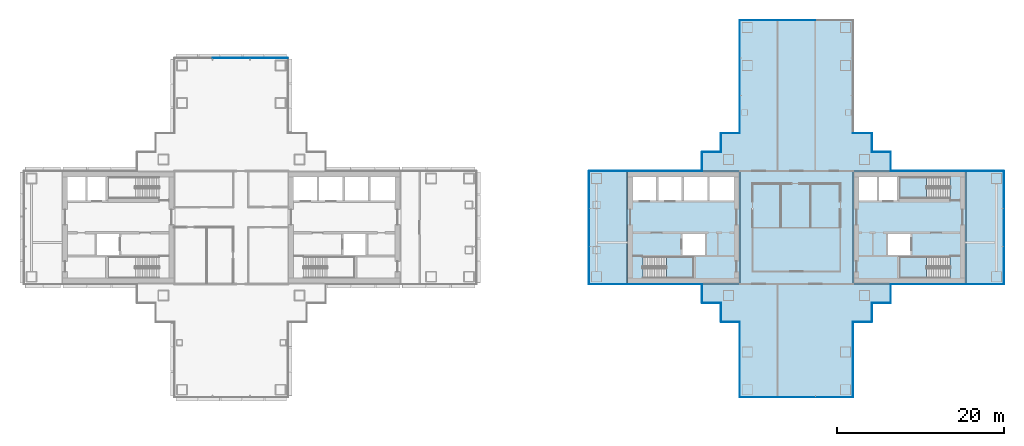
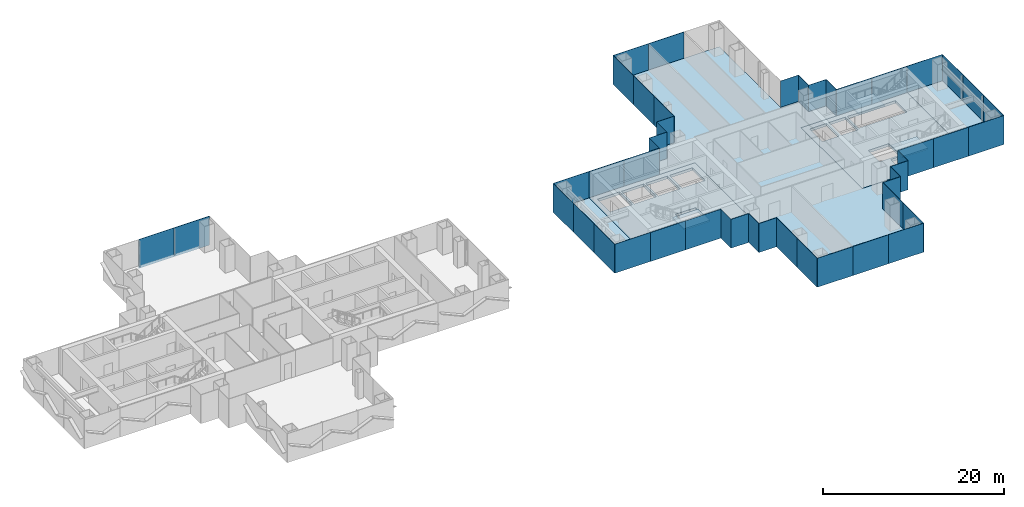
# One storey, part 10 of 18: 48 plates, 8 slabs, 23 elements without a shape of their own.
"""IFC4 building model written with IfcOpenShell, lengths in metres."""

import ifcopenshell
import ifcopenshell.guid

model = None  # the IFC model being written
_history = None  # IfcOwnerHistory: only IFC2X3 demands one
_inside = {}  # id of a spatial element -> (the spatial element, [elements in it])
_under = {}  # id of a project, library or spatial element -> (it, [spatial elements below it])
_declared = {}  # id of a project -> (the project, [libraries it declares])
_typed = {}  # id of a type object -> (the type object, [elements of that type])
_made_of = {}  # id of a material, layer set ... -> (it, [elements and type objects made of it])


def new_model(schema):
    """Start an empty IFC model of exactly this schema.

    Asked for "IFC4X3", IfcOpenShell would pick the latest addendum, in which some entities
    have other attributes; the version numbers below select the first issue.
    IFC2X3 requires an IfcOwnerHistory on every rooted entity: one is made here for all.
    """
    global model, _history
    if schema == "IFC4X3":
        model = ifcopenshell.file(schema_version=(4, 3, 0, 0))
    else:
        model = ifcopenshell.file(schema=schema)
    _inside.clear()
    _under.clear()
    _declared.clear()
    _typed.clear()
    _made_of.clear()
    _history = None
    if model.schema == "IFC2X3":
        org = make("IfcOrganization", Name="unknown")
        user = make(
            "IfcPersonAndOrganization",
            ThePerson=make("IfcPerson", FamilyName="unknown"),
            TheOrganization=org,
        )
        app = make(
            "IfcApplication",
            ApplicationDeveloper=org,
            Version="unknown",
            ApplicationFullName="unknown",
            ApplicationIdentifier="unknown",
        )
        _history = make(
            "IfcOwnerHistory",
            OwningUser=user,
            OwningApplication=app,
            ChangeAction="ADDED",
            CreationDate=0,
        )
    return model


def make(cls, **values):
    """One entity of the class cls with the attributes given. An attribute that is None is left unset."""
    return model.create_entity(
        cls, **{name: value for name, value in values.items() if value is not None}
    )


def rooted(cls, **values):
    """An entity with a GlobalId (a new one), such as an element, a storey or a relation."""
    return make(cls, GlobalId=ifcopenshell.guid.new(), OwnerHistory=_history, **values)


def si_unit(unit_type, name, prefix=None):
    """IfcSIUnit, for example si_unit("LENGTHUNIT", "METRE", prefix="MILLI")."""
    return make("IfcSIUnit", UnitType=unit_type, Prefix=prefix, Name=name)


def assignment(units):
    """IfcUnitAssignment: the units of a project."""
    return None if units is None else make("IfcUnitAssignment", Units=units)


def point(xyz):
    """IfcCartesianPoint."""
    return None if xyz is None else make("IfcCartesianPoint", Coordinates=xyz)


def direction(xyz):
    """IfcDirection."""
    return None if xyz is None else make("IfcDirection", DirectionRatios=xyz)


def frame(location, z_axis=None, x_axis=None):
    """IfcAxis2Placement3D, a coordinate frame: its origin and axes. An axis left out is left unset."""
    return make(
        "IfcAxis2Placement3D",
        Location=point(location),
        Axis=direction(z_axis),
        RefDirection=direction(x_axis),
    )


def frame_2d(location, x_axis=None):
    """IfcAxis2Placement2D, a coordinate frame in the plane: its origin and x axis."""
    return make(
        "IfcAxis2Placement2D", Location=point(location), RefDirection=direction(x_axis)
    )


def origin():
    """The frame at (0, 0, 0) with its axes left unset."""
    return frame((0.0, 0.0, 0.0))


def origin_2d():
    """The frame at (0, 0) in the plane with its x axis left unset."""
    return frame_2d((0.0, 0.0))


def place(relative_to, where):
    """IfcLocalPlacement: puts the frame where relative to a parent placement (None: the world)."""
    return make(
        "IfcLocalPlacement", PlacementRelTo=relative_to, RelativePlacement=where
    )


def context(
    kind, dimensions, precision=None, world=None, true_north=None, identifier=None
):
    """IfcGeometricRepresentationContext, for example the 3D "Model" context."""
    return make(
        "IfcGeometricRepresentationContext",
        ContextIdentifier=identifier,
        ContextType=kind,
        CoordinateSpaceDimension=dimensions,
        Precision=precision,
        WorldCoordinateSystem=world,
        TrueNorth=true_north,
    )


def subcontext(parent, identifier, kind, view, scale=None):
    """IfcGeometricRepresentationSubContext, for example "Body" below "Model"."""
    return make(
        "IfcGeometricRepresentationSubContext",
        ContextIdentifier=identifier,
        ContextType=kind,
        ParentContext=parent,
        TargetScale=scale,
        TargetView=view,
    )


def project(units=None, contexts=None):
    """IfcProject with its units and contexts."""
    return rooted(
        "IfcProject",
        Name="project",
        RepresentationContexts=contexts,
        UnitsInContext=assignment(units),
    )


def spatial(cls, under=None, at=None, **own):
    """A site, building, storey or space (cls), placed at a placement, below another one or the project."""
    s = rooted(cls, ObjectPlacement=at, **own)
    if under is not None:
        _under.setdefault(under.id(), (under, []))[1].append(s)
    return s


def polyline(points):
    """IfcPolyline through the points."""
    return make("IfcPolyline", Points=[point(p) for p in points])


def profile(cls, at=None, kind="AREA", **sizes):
    """A parametric profile (cls). Its sizes go by their IFC names, for example OverallWidth=200.0."""
    return make(cls, ProfileType=kind, Position=at, **sizes)


def rectangle(**sizes):
    """IfcRectangleProfileDef."""
    return profile("IfcRectangleProfileDef", **sizes)


def outline(outer, holes=None, kind="AREA"):
    """IfcArbitraryClosedProfileDef: a profile drawn as a closed curve; with holes, ...WithVoids."""
    if holes is None:
        return make("IfcArbitraryClosedProfileDef", ProfileType=kind, OuterCurve=outer)
    return make(
        "IfcArbitraryProfileDefWithVoids",
        ProfileType=kind,
        OuterCurve=outer,
        InnerCurves=holes,
    )


def extrude(swept, where, along, depth):
    """IfcExtrudedAreaSolid: the profile swept, set in the frame where, extruded along a direction by depth."""
    return make(
        "IfcExtrudedAreaSolid",
        SweptArea=swept,
        Position=where,
        ExtrudedDirection=direction(along),
        Depth=depth,
    )


def shape(context_of_items, identifier, shape_type, items):
    """IfcShapeRepresentation: the items that make up one representation, for example the "Body"."""
    return make(
        "IfcShapeRepresentation",
        ContextOfItems=context_of_items,
        RepresentationIdentifier=identifier,
        RepresentationType=shape_type,
        Items=items,
    )


def material(Name=None, Category=None):
    """IfcMaterial."""
    return make("IfcMaterial", Name=Name, Category=Category)


def layer(
    of_material, thickness, ventilated=None, Name=None, Category=None, Priority=None
):
    """IfcMaterialLayer: one layer of a wall or slab, of a material (None: an air gap)."""
    return make(
        "IfcMaterialLayer",
        Material=of_material,
        LayerThickness=thickness,
        IsVentilated=ventilated,
        Name=Name,
        Category=Category,
        Priority=Priority,
    )


def layer_set(layers, Name=None):
    """IfcMaterialLayerSet."""
    return make("IfcMaterialLayerSet", MaterialLayers=layers, LayerSetName=Name)


def made_of(thing, what):
    """Note that an element or type object is made of a material, layer set ...; save() writes the relation."""
    if what is not None:
        _made_of.setdefault(what.id(), (what, []))[1].append(thing)
    return thing


def type_object(cls, material=None, **own):
    """A type object (cls), such as IfcWallType, which elements share."""
    return made_of(rooted(cls, **own), material)


def element(
    cls,
    number,
    at=None,
    inside=None,
    cuts=None,
    type_object=None,
    material=None,
    context=None,
    identifier="Body",
    shape_type=None,
    held_by="IfcProductDefinitionShape",
    body=None,
    shapes=None,
    **own,
):
    """One element of the class cls, such as IfcWall. Its Tag is "e" and its number.

    at: its placement. inside: the storey or other place that contains it. cuts: it is an
    opening in that element (IfcRelVoidsElement). A single representation is given by context,
    identifier, shape_type and body (its items); several are given by shapes. held_by: the class
    of the entity that holds the representations. save() writes the other relations.
    """
    e = rooted(cls, Tag="e%d" % number, ObjectPlacement=at, **own)
    if body is not None:
        shapes = [shape(context, identifier, shape_type, body)]
    if shapes is not None:
        e.Representation = make(held_by, Representations=shapes)
    if inside is not None:
        _inside.setdefault(inside.id(), (inside, []))[1].append(e)
    if cuts is not None:
        rooted(
            "IfcRelVoidsElement", RelatingBuildingElement=cuts, RelatedOpeningElement=e
        )
    if type_object is not None:
        _typed.setdefault(type_object.id(), (type_object, []))[1].append(e)
    return made_of(e, material)


def aggregate(whole, parts):
    """IfcRelAggregates: a whole, such as a stair, and the parts it consists of."""
    return rooted("IfcRelAggregates", RelatingObject=whole, RelatedObjects=parts)


def save(model, path):
    """Write the relations noted so far, then the file.

    IfcRelAggregates (storeys below a building ...), IfcRelContainedInSpatialStructure (elements
    in a storey), IfcRelDefinesByType, IfcRelAssociatesMaterial and IfcRelDeclares: one each for
    every whole, place, type object, material and project.
    """
    for whole, parts in _under.values():
        aggregate(whole, parts)
    for where, things in _inside.values():
        rooted(
            "IfcRelContainedInSpatialStructure",
            RelatedElements=things,
            RelatingStructure=where,
        )
    for kind, things in _typed.values():
        rooted("IfcRelDefinesByType", RelatedObjects=things, RelatingType=kind)
    for what, things in _made_of.values():
        rooted("IfcRelAssociatesMaterial", RelatedObjects=things, RelatingMaterial=what)
    for by, libraries in _declared.values():
        rooted("IfcRelDeclares", RelatingContext=by, RelatedDefinitions=libraries)
    model.write(path)


model = new_model("IFC4")

# Units and contexts
model_context = context("Model", 3, precision=1e-05, world=origin(), true_north=direction((0.0, 1.0)))
body_context = subcontext(model_context, "Body", "Model", "MODEL_VIEW")
ifc_project = project(units=[si_unit("LENGTHUNIT", "METRE"), si_unit("AREAUNIT", "SQUARE_METRE"), si_unit("VOLUMEUNIT", "CUBIC_METRE"), si_unit("PLANEANGLEUNIT", "RADIAN"), si_unit("MASSUNIT", "GRAM", prefix="KILO")], contexts=[model_context])

# Site, building, storey
site_placement = place(None, origin())
site = spatial("IfcSite", under=ifc_project, at=site_placement, CompositionType="ELEMENT")
building_placement = place(site_placement, origin())
building = spatial("IfcBuilding", under=site, at=building_placement, Name="Shamsa Quay Exchange Towers", CompositionType="ELEMENT")
storey_placement = place(building_placement, frame((0.0, 0.0, 113.10009765625)))
storey = spatial("IfcBuildingStorey", under=building, at=storey_placement, Name="L26", CompositionType="ELEMENT", Elevation=113.10009765625)

# Slabs
ifc_material_1 = material(Name="Concrete C50/60", Category="concrete")
ifc_layer_1 = layer(ifc_material_1, 0.35009765625)
ifc_layer_set_1 = layer_set([ifc_layer_1], Name="CORE FLOOR 350 C50/60")
slab_type_1 = type_object("IfcSlabType", Name="CORE FLOOR 350 C50/60", PredefinedType="FLOOR", material=ifc_layer_set_1)
slab_1_placement = place(storey_placement, frame((0.0, 0.0, -0.35009765625)))
element("IfcSlab", 1, at=slab_1_placement, inside=storey, type_object=slab_type_1, Name="Core floor T2A", PredefinedType="FLOOR", context=body_context, shape_type="SweptSolid", body=[
    extrude(outline(polyline([(13.5, -6.75), (27.0, -6.75), (27.0, 6.75), (13.5, 6.75), (13.5, -6.75)]), holes=[polyline([(15.400634765625, -6.050048828125), (15.400634765625, -3.5), (21.5, -3.5), (21.5, -6.050048828125), (15.400634765625, -6.050048828125)]), polyline([(14.199951171875, 3.25), (14.199951171875, 6.050048828125), (17.0, 6.050048828125), (17.0, 3.25), (14.199951171875, 3.25)]), polyline([(17.25, 3.25), (17.25, 6.050048828125), (20.050048828125, 6.050048828125), (20.050048828125, 3.25), (17.25, 3.25)]), polyline([(20.300048828125, 3.25), (20.300048828125, 6.050048828125), (23.10009765625, 6.050048828125), (23.10009765625, 3.25), (20.300048828125, 3.25)]), polyline([(23.35009765625, 3.25), (23.35009765625, 6.050048828125), (26.300048828125, 6.050048828125), (26.300048828125, 3.25), (23.35009765625, 3.25)]), polyline([(20.14990234375, -3.25), (20.14990234375, -0.75), (22.800048828125, -0.75), (22.800048828125, -3.25), (20.14990234375, -3.25)])]), origin(), (0.0, 0.0, 1.0), 0.35009765625),
])
slab_2_placement = place(storey_placement, frame((0.0, 0.0, -0.35009765625)))
element("IfcSlab", 2, at=slab_2_placement, inside=storey, type_object=slab_type_1, Name="Core floor T2B", PredefinedType="FLOOR", context=body_context, shape_type="SweptSolid", body=[
    extrude(outline(polyline([(54.0, -6.75), (54.0, 6.75), (40.5, 6.75), (40.5, -6.75), (54.0, -6.75)]), holes=[polyline([(52.099365234375, -3.5), (52.099365234375, -6.050048828125), (46.0, -6.050048828125), (46.0, -3.5), (52.099365234375, -3.5)]), polyline([(52.099365234375, 6.050048828125), (52.099365234375, 3.5), (46.0, 3.5), (46.0, 6.050048828125), (52.099365234375, 6.050048828125)]), polyline([(45.75, 3.25), (43.60009765625, 3.25), (43.60009765625, 6.050048828125), (45.75, 6.050048828125), (45.75, 3.25)]), polyline([(43.35009765625, 3.25), (41.199951171875, 3.25), (41.199951171875, 6.050048828125), (43.35009765625, 6.050048828125), (43.35009765625, 3.25)]), polyline([(47.35009765625, -3.25), (44.699951171875, -3.25), (44.699951171875, -0.75), (47.35009765625, -0.75), (47.35009765625, -3.25)])]), origin(), (0.0, 0.0, 1.0), 0.35009765625),
])

# Stair, slab
ifc_material_2 = material(Name="Concrete C40/50", Category="concrete")
stair_type = type_object("IfcStairType", Name="EXIT STAIR 22 RISERS 177 MM", PredefinedType="HALF_TURN_STAIR", material=ifc_material_2)
stair_1_placement = place(storey_placement, origin())
stair_1 = element("IfcStair", 3, at=stair_1_placement, inside=storey, type_object=stair_type, Name="L26 Exit stair ST4", PredefinedType="HALF_TURN_STAIR")
ifc_layer_2 = layer(ifc_material_2, 0.199951171875)
ifc_layer_set_2 = layer_set([ifc_layer_2], Name="CORE STAIR LANDING")
slab_type_2 = type_object("IfcSlabType", Name="CORE STAIR LANDING", PredefinedType="LANDING", material=ifc_layer_set_2)
slab_3_placement = place(storey_placement, frame((0.0, 0.0, 1.75)))
slab_3 = element("IfcSlab", 4, at=slab_3_placement, type_object=slab_type_2, Name="ST4 landing 1", PredefinedType="LANDING", context=body_context, shape_type="SweptSolid", body=[
    extrude(outline(polyline([(18.199951171875, -6.050048828125), (21.5, -6.050048828125), (21.5, -3.5), (18.199951171875, -3.5), (18.199951171875, -6.050048828125)])), origin(), (0.0, 0.0, 1.0), 0.199951171875),
])
aggregate(stair_1, [slab_3])

stair_2_placement = place(storey_placement, origin())
stair_2 = element("IfcStair", 5, at=stair_2_placement, inside=storey, type_object=stair_type, Name="L26 Exit stair ST5", PredefinedType="HALF_TURN_STAIR")
slab_4_placement = place(storey_placement, frame((0.0, 0.0, 1.75)))
slab_4 = element("IfcSlab", 6, at=slab_4_placement, type_object=slab_type_2, Name="ST5 landing 1", PredefinedType="LANDING", context=body_context, shape_type="SweptSolid", body=[
    extrude(outline(polyline([(49.300048828125, -3.5), (46.0, -3.5), (46.0, -6.050048828125), (49.300048828125, -6.050048828125), (49.300048828125, -3.5)])), origin(), (0.0, 0.0, 1.0), 0.199951171875),
])
aggregate(stair_2, [slab_4])

stair_3_placement = place(storey_placement, origin())
stair_3 = element("IfcStair", 7, at=stair_3_placement, inside=storey, type_object=stair_type, Name="L26 Exit stair ST6", PredefinedType="HALF_TURN_STAIR")
slab_5_placement = place(storey_placement, frame((0.0, 0.0, 1.75)))
slab_5 = element("IfcSlab", 8, at=slab_5_placement, type_object=slab_type_2, Name="ST6 landing 1", PredefinedType="LANDING", context=body_context, shape_type="SweptSolid", body=[
    extrude(outline(polyline([(49.300048828125, 6.050048828125), (46.0, 6.050048828125), (46.0, 3.5), (49.300048828125, 3.5), (49.300048828125, 6.050048828125)])), origin(), (0.0, 0.0, 1.0), 0.199951171875),
])
aggregate(stair_3, [slab_5])

# Curtain wall, plates
ifc_material_3 = material(Name="Aluminium EN AW-6063 T6, black anodised", Category="aluminium")
ifc_layer_3 = layer(ifc_material_3, 0.280029296875)
ifc_layer_set_3 = layer_set([ifc_layer_3], Name="CW-1 UNITISED VISION GLASS")
curtain_wall_type_1 = type_object("IfcCurtainWallType", Name="CW-1 UNITISED VISION GLASS", PredefinedType="NOTDEFINED", material=ifc_layer_set_3)
curtain_wall_1_placement = place(storey_placement, origin())
curtain_wall_1 = element("IfcCurtainWall", 9, at=curtain_wall_1_placement, inside=storey, type_object=curtain_wall_type_1, Name="CW1 T1-END-V+ L26", PredefinedType="NOTDEFINED")
ifc_material_4 = material(Name="Glass, laminated, dark tinted", Category="glass")
ifc_layer_4 = layer(ifc_material_4, 0.0400390625)
ifc_layer_set_4 = layer_set([ifc_layer_4], Name="CW-1 VISION GLASS 40")
plate_type_1 = type_object("IfcPlateType", Name="CW-1 VISION GLASS 40", PredefinedType="CURTAIN_PANEL", material=ifc_layer_set_4)
plate_1_placement = place(storey_placement, frame((-29.24755859375, 20.27001953125, -0.35009765625), z_axis=(0.0, 0.0, 1.0), x_axis=(-1.0, 0.0, 0.0)))
plate_1 = element("IfcPlate", 10, at=plate_1_placement, type_object=plate_type_1, Name="CW1 glass panel", PredefinedType="CURTAIN_PANEL", context=body_context, shape_type="SweptSolid", body=[
    extrude(rectangle(XDim=4.4951171875, YDim=0.0400390625, at=origin_2d()), origin(), (0.0, 0.0, 1.0), 3.89990234375),
])
plate_2_placement = place(storey_placement, frame((-33.75, 20.27001953125, -0.35009765625), z_axis=(0.0, 0.0, 1.0), x_axis=(-1.0, 0.0, 0.0)))
plate_2 = element("IfcPlate", 11, at=plate_2_placement, type_object=plate_type_1, Name="CW1 glass panel", PredefinedType="CURTAIN_PANEL", context=body_context, shape_type="SweptSolid", body=[
    extrude(rectangle(XDim=4.489990234375, YDim=0.0400390625, at=origin_2d()), origin(), (0.0, 0.0, 1.0), 3.89990234375),
])
aggregate(curtain_wall_1, [plate_1, plate_2])

# Curtain wall, plate
curtain_wall_2_placement = place(storey_placement, origin())
curtain_wall_2 = element("IfcCurtainWall", 12, at=curtain_wall_2_placement, inside=storey, type_object=curtain_wall_type_1, Name="CW1 T2-FLK-V-W L26", PredefinedType="NOTDEFINED")
plate_3_placement = place(storey_placement, frame((56.25, -6.77001953125, -0.35009765625)))
plate_3 = element("IfcPlate", 13, at=plate_3_placement, type_object=plate_type_1, Name="CW1 glass panel", PredefinedType="CURTAIN_PANEL", context=body_context, shape_type="SweptSolid", body=[
    extrude(rectangle(XDim=4.5, YDim=0.0400390625, at=origin_2d()), origin(), (0.0, 0.0, 1.0), 3.89990234375),
])
aggregate(curtain_wall_2, [plate_3])

# Curtain wall, plates
curtain_wall_3_placement = place(storey_placement, origin())
curtain_wall_3 = element("IfcCurtainWall", 14, at=curtain_wall_3_placement, inside=storey, type_object=curtain_wall_type_1, Name="CW1 T2-END-V- L26", PredefinedType="NOTDEFINED")
plate_4_placement = place(storey_placement, frame((58.52001953125, -4.50244140625, -0.35009765625), z_axis=(0.0, 0.0, 1.0), x_axis=(0.0, 1.0, 0.0)))
plate_4 = element("IfcPlate", 15, at=plate_4_placement, type_object=plate_type_1, Name="CW1 glass panel", PredefinedType="CURTAIN_PANEL", context=body_context, shape_type="SweptSolid", body=[
    extrude(rectangle(XDim=4.4951171875, YDim=0.0400390625, at=origin_2d()), origin(), (0.0, 0.0, 1.0), 3.89990234375),
])
plate_5_placement = place(storey_placement, frame((58.52001953125, 0.0, -0.35009765625), z_axis=(0.0, 0.0, 1.0), x_axis=(0.0, 1.0, 0.0)))
plate_5 = element("IfcPlate", 16, at=plate_5_placement, type_object=plate_type_1, Name="CW1 glass panel", PredefinedType="CURTAIN_PANEL", context=body_context, shape_type="SweptSolid", body=[
    extrude(rectangle(XDim=4.489990234375, YDim=0.0400390625, at=origin_2d()), origin(), (0.0, 0.0, 1.0), 3.89990234375),
])
plate_6_placement = place(storey_placement, frame((58.52001953125, 4.50244140625, -0.35009765625), z_axis=(0.0, 0.0, 1.0), x_axis=(0.0, 1.0, 0.0)))
plate_6 = element("IfcPlate", 17, at=plate_6_placement, type_object=plate_type_1, Name="CW1 glass panel", PredefinedType="CURTAIN_PANEL", context=body_context, shape_type="SweptSolid", body=[
    extrude(rectangle(XDim=4.4951171875, YDim=0.0400390625, at=origin_2d()), origin(), (0.0, 0.0, 1.0), 3.89990234375),
])
aggregate(curtain_wall_3, [plate_4, plate_5, plate_6])

# Curtain wall, plate
curtain_wall_4_placement = place(storey_placement, origin())
curtain_wall_4 = element("IfcCurtainWall", 18, at=curtain_wall_4_placement, inside=storey, type_object=curtain_wall_type_1, Name="CW1 T2-FLK-V-E L26", PredefinedType="NOTDEFINED")
plate_7_placement = place(storey_placement, frame((56.25, 6.77001953125, -0.35009765625), z_axis=(0.0, 0.0, 1.0), x_axis=(-1.0, 0.0, 0.0)))
plate_7 = element("IfcPlate", 19, at=plate_7_placement, type_object=plate_type_1, Name="CW1 glass panel", PredefinedType="CURTAIN_PANEL", context=body_context, shape_type="SweptSolid", body=[
    extrude(rectangle(XDim=4.5, YDim=0.0400390625, at=origin_2d()), origin(), (0.0, 0.0, 1.0), 3.89990234375),
])
aggregate(curtain_wall_4, [plate_7])

# Curtain wall, plates
curtain_wall_5_placement = place(storey_placement, origin())
curtain_wall_5 = element("IfcCurtainWall", 20, at=curtain_wall_5_placement, inside=storey, type_object=curtain_wall_type_1, Name="CW1 T2-END-U+ L26", PredefinedType="NOTDEFINED")
plate_8_placement = place(storey_placement, frame((33.75, 24.77001953125, -0.35009765625), z_axis=(0.0, 0.0, 1.0), x_axis=(-1.0, 0.0, 0.0)))
plate_8 = element("IfcPlate", 21, at=plate_8_placement, type_object=plate_type_1, Name="CW1 glass panel", PredefinedType="CURTAIN_PANEL", context=body_context, shape_type="SweptSolid", body=[
    extrude(rectangle(XDim=4.489990234375, YDim=0.0400390625, at=origin_2d()), origin(), (0.0, 0.0, 1.0), 3.89990234375),
])
plate_9_placement = place(storey_placement, frame((29.24755859375, 24.77001953125, -0.35009765625), z_axis=(0.0, 0.0, 1.0), x_axis=(-1.0, 0.0, 0.0)))
plate_9 = element("IfcPlate", 22, at=plate_9_placement, type_object=plate_type_1, Name="CW1 glass panel", PredefinedType="CURTAIN_PANEL", context=body_context, shape_type="SweptSolid", body=[
    extrude(rectangle(XDim=4.4951171875, YDim=0.0400390625, at=origin_2d()), origin(), (0.0, 0.0, 1.0), 3.89990234375),
])
aggregate(curtain_wall_5, [plate_8, plate_9])

curtain_wall_6_placement = place(storey_placement, origin())
curtain_wall_6 = element("IfcCurtainWall", 23, at=curtain_wall_6_placement, inside=storey, type_object=curtain_wall_type_1, Name="CW1 T2-FLK-U+N L26", PredefinedType="NOTDEFINED")
plate_10_placement = place(storey_placement, frame((26.97998046875, 22.50244140625, -0.35009765625), z_axis=(0.0, 0.0, 1.0), x_axis=(0.0, -1.0, 0.0)))
plate_10 = element("IfcPlate", 24, at=plate_10_placement, type_object=plate_type_1, Name="CW1 glass panel", PredefinedType="CURTAIN_PANEL", context=body_context, shape_type="SweptSolid", body=[
    extrude(rectangle(XDim=4.4951171875, YDim=0.0400390625, at=origin_2d()), origin(), (0.0, 0.0, 1.0), 3.89990234375),
])
plate_11_placement = place(storey_placement, frame((26.97998046875, 18.0, -0.35009765625), z_axis=(0.0, 0.0, 1.0), x_axis=(0.0, -1.0, 0.0)))
plate_11 = element("IfcPlate", 25, at=plate_11_placement, type_object=plate_type_1, Name="CW1 glass panel", PredefinedType="CURTAIN_PANEL", context=body_context, shape_type="SweptSolid", body=[
    extrude(rectangle(XDim=4.489990234375, YDim=0.0400390625, at=origin_2d()), origin(), (0.0, 0.0, 1.0), 3.89990234375),
])
plate_12_placement = place(storey_placement, frame((26.97998046875, 13.49755859375, -0.35009765625), z_axis=(0.0, 0.0, 1.0), x_axis=(0.0, -1.0, 0.0)))
plate_12 = element("IfcPlate", 26, at=plate_12_placement, type_object=plate_type_1, Name="CW1 glass panel", PredefinedType="CURTAIN_PANEL", context=body_context, shape_type="SweptSolid", body=[
    extrude(rectangle(XDim=4.4951171875, YDim=0.0400390625, at=origin_2d()), origin(), (0.0, 0.0, 1.0), 3.89990234375),
])
aggregate(curtain_wall_6, [plate_10, plate_11, plate_12])

# Curtain wall, plate
curtain_wall_7_placement = place(storey_placement, origin())
curtain_wall_7 = element("IfcCurtainWall", 27, at=curtain_wall_7_placement, inside=storey, type_object=curtain_wall_type_1, Name="CW1 T2-FLK-V+E L26", PredefinedType="NOTDEFINED")
plate_13_placement = place(storey_placement, frame((11.25, 6.77001953125, -0.35009765625), z_axis=(0.0, 0.0, 1.0), x_axis=(-1.0, 0.0, 0.0)))
plate_13 = element("IfcPlate", 28, at=plate_13_placement, type_object=plate_type_1, Name="CW1 glass panel", PredefinedType="CURTAIN_PANEL", context=body_context, shape_type="SweptSolid", body=[
    extrude(rectangle(XDim=4.5, YDim=0.0400390625, at=origin_2d()), origin(), (0.0, 0.0, 1.0), 3.89990234375),
])
aggregate(curtain_wall_7, [plate_13])

# Curtain wall, plates
curtain_wall_8_placement = place(storey_placement, origin())
curtain_wall_8 = element("IfcCurtainWall", 29, at=curtain_wall_8_placement, inside=storey, type_object=curtain_wall_type_1, Name="CW1 T2-END-V+ L26", PredefinedType="NOTDEFINED")
plate_14_placement = place(storey_placement, frame((8.97998046875, 4.50244140625, -0.35009765625), z_axis=(0.0, 0.0, 1.0), x_axis=(0.0, -1.0, 0.0)))
plate_14 = element("IfcPlate", 30, at=plate_14_placement, type_object=plate_type_1, Name="CW1 glass panel", PredefinedType="CURTAIN_PANEL", context=body_context, shape_type="SweptSolid", body=[
    extrude(rectangle(XDim=4.4951171875, YDim=0.0400390625, at=origin_2d()), origin(), (0.0, 0.0, 1.0), 3.89990234375),
])
plate_15_placement = place(storey_placement, frame((8.97998046875, 0.0, -0.35009765625), z_axis=(0.0, 0.0, 1.0), x_axis=(0.0, -1.0, 0.0)))
plate_15 = element("IfcPlate", 31, at=plate_15_placement, type_object=plate_type_1, Name="CW1 glass panel", PredefinedType="CURTAIN_PANEL", context=body_context, shape_type="SweptSolid", body=[
    extrude(rectangle(XDim=4.489990234375, YDim=0.0400390625, at=origin_2d()), origin(), (0.0, 0.0, 1.0), 3.89990234375),
])
plate_16_placement = place(storey_placement, frame((8.97998046875, -4.50244140625, -0.35009765625), z_axis=(0.0, 0.0, 1.0), x_axis=(0.0, -1.0, 0.0)))
plate_16 = element("IfcPlate", 32, at=plate_16_placement, type_object=plate_type_1, Name="CW1 glass panel", PredefinedType="CURTAIN_PANEL", context=body_context, shape_type="SweptSolid", body=[
    extrude(rectangle(XDim=4.4951171875, YDim=0.0400390625, at=origin_2d()), origin(), (0.0, 0.0, 1.0), 3.89990234375),
])
aggregate(curtain_wall_8, [plate_14, plate_15, plate_16])

# Curtain wall, plate
curtain_wall_9_placement = place(storey_placement, origin())
curtain_wall_9 = element("IfcCurtainWall", 33, at=curtain_wall_9_placement, inside=storey, type_object=curtain_wall_type_1, Name="CW1 T2-FLK-V+W L26", PredefinedType="NOTDEFINED")
plate_17_placement = place(storey_placement, frame((11.25, -6.77001953125, -0.35009765625)))
plate_17 = element("IfcPlate", 34, at=plate_17_placement, type_object=plate_type_1, Name="CW1 glass panel", PredefinedType="CURTAIN_PANEL", context=body_context, shape_type="SweptSolid", body=[
    extrude(rectangle(XDim=4.5, YDim=0.0400390625, at=origin_2d()), origin(), (0.0, 0.0, 1.0), 3.89990234375),
])
aggregate(curtain_wall_9, [plate_17])

# Curtain wall, plates
curtain_wall_10_placement = place(storey_placement, origin())
curtain_wall_10 = element("IfcCurtainWall", 35, at=curtain_wall_10_placement, inside=storey, type_object=curtain_wall_type_1, Name="CW1 T2-FLK-U-N L26", PredefinedType="NOTDEFINED")
plate_18_placement = place(storey_placement, frame((26.97998046875, -13.52587890625, -0.35009765625), z_axis=(0.0, 0.0, 1.0), x_axis=(0.0, -1.0, 0.0)))
plate_18 = element("IfcPlate", 36, at=plate_18_placement, type_object=plate_type_1, Name="CW1 glass panel", PredefinedType="CURTAIN_PANEL", context=body_context, shape_type="SweptSolid", body=[
    extrude(rectangle(XDim=4.47607421875, YDim=0.0400390625, at=origin_2d()), origin(), (0.0, 0.0, 1.0), 3.89990234375),
])
plate_19_placement = place(storey_placement, frame((26.97998046875, -18.011962890625, -0.35009765625), z_axis=(0.0, 0.0, 1.0), x_axis=(0.0, -1.0, 0.0)))
plate_19 = element("IfcPlate", 37, at=plate_19_placement, type_object=plate_type_1, Name="CW1 glass panel", PredefinedType="CURTAIN_PANEL", context=body_context, shape_type="SweptSolid", body=[
    extrude(rectangle(XDim=4.47607421875, YDim=0.0400390625, at=origin_2d()), origin(), (0.0, 0.0, 1.0), 3.89990234375),
])
aggregate(curtain_wall_10, [plate_18, plate_19])

curtain_wall_11_placement = place(storey_placement, origin())
curtain_wall_11 = element("IfcCurtainWall", 38, at=curtain_wall_11_placement, inside=storey, type_object=curtain_wall_type_1, Name="CW1 T2-END-U- L26", PredefinedType="NOTDEFINED")
plate_20_placement = place(storey_placement, frame((29.24755859375, -20.27001953125, -0.35009765625)))
plate_20 = element("IfcPlate", 39, at=plate_20_placement, type_object=plate_type_1, Name="CW1 glass panel", PredefinedType="CURTAIN_PANEL", context=body_context, shape_type="SweptSolid", body=[
    extrude(rectangle(XDim=4.4951171875, YDim=0.0400390625, at=origin_2d()), origin(), (0.0, 0.0, 1.0), 3.89990234375),
])
plate_21_placement = place(storey_placement, frame((33.75, -20.27001953125, -0.35009765625)))
plate_21 = element("IfcPlate", 40, at=plate_21_placement, type_object=plate_type_1, Name="CW1 glass panel", PredefinedType="CURTAIN_PANEL", context=body_context, shape_type="SweptSolid", body=[
    extrude(rectangle(XDim=4.489990234375, YDim=0.0400390625, at=origin_2d()), origin(), (0.0, 0.0, 1.0), 3.89990234375),
])
plate_22_placement = place(storey_placement, frame((38.25244140625, -20.27001953125, -0.35009765625)))
plate_22 = element("IfcPlate", 41, at=plate_22_placement, type_object=plate_type_1, Name="CW1 glass panel", PredefinedType="CURTAIN_PANEL", context=body_context, shape_type="SweptSolid", body=[
    extrude(rectangle(XDim=4.4951171875, YDim=0.0400390625, at=origin_2d()), origin(), (0.0, 0.0, 1.0), 3.89990234375),
])
aggregate(curtain_wall_11, [plate_20, plate_21, plate_22])

curtain_wall_12_placement = place(storey_placement, origin())
curtain_wall_12 = element("IfcCurtainWall", 42, at=curtain_wall_12_placement, inside=storey, type_object=curtain_wall_type_1, Name="CW1 T2-FLK-U-S L26", PredefinedType="NOTDEFINED")
plate_23_placement = place(storey_placement, frame((40.52001953125, -18.00244140625, -0.35009765625), z_axis=(0.0, 0.0, 1.0), x_axis=(0.0, 1.0, 0.0)))
plate_23 = element("IfcPlate", 43, at=plate_23_placement, type_object=plate_type_1, Name="CW1 glass panel", PredefinedType="CURTAIN_PANEL", context=body_context, shape_type="SweptSolid", body=[
    extrude(rectangle(XDim=4.4951171875, YDim=0.0400390625, at=origin_2d()), origin(), (0.0, 0.0, 1.0), 3.89990234375),
])
plate_24_placement = place(storey_placement, frame((40.52001953125, -13.49755859375, -0.35009765625), z_axis=(0.0, 0.0, 1.0), x_axis=(0.0, 1.0, 0.0)))
plate_24 = element("IfcPlate", 44, at=plate_24_placement, type_object=plate_type_1, Name="CW1 glass panel", PredefinedType="CURTAIN_PANEL", context=body_context, shape_type="SweptSolid", body=[
    extrude(rectangle(XDim=4.4951171875, YDim=0.0400390625, at=origin_2d()), origin(), (0.0, 0.0, 1.0), 3.89990234375),
])
aggregate(curtain_wall_12, [plate_23, plate_24])

ifc_layer_5 = layer(ifc_material_3, 0.303955078125)
ifc_layer_set_5 = layer_set([ifc_layer_5], Name="CW-2 UNITISED OPAQUE SPANDREL GLASS")
curtain_wall_type_2 = type_object("IfcCurtainWallType", Name="CW-2 UNITISED OPAQUE SPANDREL GLASS", PredefinedType="NOTDEFINED", material=ifc_layer_set_5)
curtain_wall_13_placement = place(storey_placement, origin())
curtain_wall_13 = element("IfcCurtainWall", 45, at=curtain_wall_13_placement, inside=storey, type_object=curtain_wall_type_2, Name="CW2 T2-FLK-V-W L26", PredefinedType="NOTDEFINED")
ifc_material_5 = material(Name="Glass, laminated, black enamelled opaque", Category="glass")
ifc_layer_6 = layer(ifc_material_5, 0.0439453125)
ifc_layer_set_6 = layer_set([ifc_layer_6], Name="CW-2 SPANDREL GLASS 44")
plate_type_2 = type_object("IfcPlateType", Name="CW-2 SPANDREL GLASS 44", PredefinedType="CURTAIN_PANEL", material=ifc_layer_set_6)
plate_25_placement = place(storey_placement, frame((47.27587890625, -6.77197265625, -0.35009765625)))
plate_25 = element("IfcPlate", 46, at=plate_25_placement, type_object=plate_type_2, Name="CW2 glass panel", PredefinedType="CURTAIN_PANEL", context=body_context, shape_type="SweptSolid", body=[
    extrude(rectangle(XDim=4.47607421875, YDim=0.0439453125, at=origin_2d()), origin(), (0.0, 0.0, 1.0), 3.89990234375),
])
plate_26_placement = place(storey_placement, frame((51.761962890625, -6.77197265625, -0.35009765625)))
plate_26 = element("IfcPlate", 47, at=plate_26_placement, type_object=plate_type_2, Name="CW2 glass panel", PredefinedType="CURTAIN_PANEL", context=body_context, shape_type="SweptSolid", body=[
    extrude(rectangle(XDim=4.47607421875, YDim=0.0439453125, at=origin_2d()), origin(), (0.0, 0.0, 1.0), 3.89990234375),
])
aggregate(curtain_wall_13, [plate_25, plate_26])

curtain_wall_14_placement = place(storey_placement, origin())
curtain_wall_14 = element("IfcCurtainWall", 48, at=curtain_wall_14_placement, inside=storey, type_object=curtain_wall_type_2, Name="CW2 T2-FLK-V-E L26", PredefinedType="NOTDEFINED")
plate_27_placement = place(storey_placement, frame((51.75244140625, 6.77197265625, -0.35009765625), z_axis=(0.0, 0.0, 1.0), x_axis=(-1.0, 0.0, 0.0)))
plate_27 = element("IfcPlate", 49, at=plate_27_placement, type_object=plate_type_2, Name="CW2 glass panel", PredefinedType="CURTAIN_PANEL", context=body_context, shape_type="SweptSolid", body=[
    extrude(rectangle(XDim=4.4951171875, YDim=0.0439453125, at=origin_2d()), origin(), (0.0, 0.0, 1.0), 3.89990234375),
])
plate_28_placement = place(storey_placement, frame((47.24755859375, 6.77197265625, -0.35009765625), z_axis=(0.0, 0.0, 1.0), x_axis=(-1.0, 0.0, 0.0)))
plate_28 = element("IfcPlate", 50, at=plate_28_placement, type_object=plate_type_2, Name="CW2 glass panel", PredefinedType="CURTAIN_PANEL", context=body_context, shape_type="SweptSolid", body=[
    extrude(rectangle(XDim=4.4951171875, YDim=0.0439453125, at=origin_2d()), origin(), (0.0, 0.0, 1.0), 3.89990234375),
])
aggregate(curtain_wall_14, [plate_27, plate_28])

curtain_wall_15_placement = place(storey_placement, origin())
curtain_wall_15 = element("IfcCurtainWall", 51, at=curtain_wall_15_placement, inside=storey, type_object=curtain_wall_type_2, Name="CW2 T2-FLK-V+E L26", PredefinedType="NOTDEFINED")
plate_29_placement = place(storey_placement, frame((20.22412109375, 6.77197265625, -0.35009765625), z_axis=(0.0, 0.0, 1.0), x_axis=(-1.0, 0.0, 0.0)))
plate_29 = element("IfcPlate", 52, at=plate_29_placement, type_object=plate_type_2, Name="CW2 glass panel", PredefinedType="CURTAIN_PANEL", context=body_context, shape_type="SweptSolid", body=[
    extrude(rectangle(XDim=4.47607421875, YDim=0.0439453125, at=origin_2d()), origin(), (0.0, 0.0, 1.0), 3.89990234375),
])
plate_30_placement = place(storey_placement, frame((15.738037109375, 6.77197265625, -0.35009765625), z_axis=(0.0, 0.0, 1.0), x_axis=(-1.0, 0.0, 0.0)))
plate_30 = element("IfcPlate", 53, at=plate_30_placement, type_object=plate_type_2, Name="CW2 glass panel", PredefinedType="CURTAIN_PANEL", context=body_context, shape_type="SweptSolid", body=[
    extrude(rectangle(XDim=4.47607421875, YDim=0.0439453125, at=origin_2d()), origin(), (0.0, 0.0, 1.0), 3.89990234375),
])
aggregate(curtain_wall_15, [plate_29, plate_30])

curtain_wall_16_placement = place(storey_placement, origin())
curtain_wall_16 = element("IfcCurtainWall", 54, at=curtain_wall_16_placement, inside=storey, type_object=curtain_wall_type_2, Name="CW2 T2-FLK-V+W L26", PredefinedType="NOTDEFINED")
plate_31_placement = place(storey_placement, frame((15.74755859375, -6.77197265625, -0.35009765625)))
plate_31 = element("IfcPlate", 55, at=plate_31_placement, type_object=plate_type_2, Name="CW2 glass panel", PredefinedType="CURTAIN_PANEL", context=body_context, shape_type="SweptSolid", body=[
    extrude(rectangle(XDim=4.4951171875, YDim=0.0439453125, at=origin_2d()), origin(), (0.0, 0.0, 1.0), 3.89990234375),
])
plate_32_placement = place(storey_placement, frame((20.25244140625, -6.77197265625, -0.35009765625)))
plate_32 = element("IfcPlate", 56, at=plate_32_placement, type_object=plate_type_2, Name="CW2 glass panel", PredefinedType="CURTAIN_PANEL", context=body_context, shape_type="SweptSolid", body=[
    extrude(rectangle(XDim=4.4951171875, YDim=0.0439453125, at=origin_2d()), origin(), (0.0, 0.0, 1.0), 3.89990234375),
])
aggregate(curtain_wall_16, [plate_31, plate_32])

ifc_layer_7 = layer(ifc_material_3, 0.256103515625)
ifc_layer_set_7 = layer_set([ifc_layer_7], Name="CW-4 POCKET SERRATED GLAZING")
curtain_wall_type_3 = type_object("IfcCurtainWallType", Name="CW-4 POCKET SERRATED GLAZING", PredefinedType="NOTDEFINED", material=ifc_layer_set_7)
curtain_wall_17_placement = place(storey_placement, origin())
curtain_wall_17 = element("IfcCurtainWall", 57, at=curtain_wall_17_placement, inside=storey, type_object=curtain_wall_type_3, Name="CW4 PKWS L26", PredefinedType="NOTDEFINED")
ifc_layer_8 = layer(ifc_material_4, 0.035888671875)
ifc_layer_set_8 = layer_set([ifc_layer_8], Name="CW-4 POCKET GLASS 36")
plate_type_3 = type_object("IfcPlateType", Name="CW-4 POCKET GLASS 36", PredefinedType="CURTAIN_PANEL", material=ifc_layer_set_8)
plate_33_placement = place(storey_placement, frame((43.89404296875, -9.01806640625, -0.35009765625)))
plate_33 = element("IfcPlate", 58, at=plate_33_placement, type_object=plate_type_3, Name="CW4 glass panel", PredefinedType="CURTAIN_PANEL", context=body_context, shape_type="SweptSolid", body=[
    extrude(rectangle(XDim=2.2119140625, YDim=0.035888671875, at=origin_2d()), origin(), (0.0, 0.0, 1.0), 3.89990234375),
])
plate_34_placement = place(storey_placement, frame((45.01806640625, -7.875, -0.35009765625), z_axis=(0.0, 0.0, 1.0), x_axis=(0.0, 1.0, 0.0)))
plate_34 = element("IfcPlate", 59, at=plate_34_placement, type_object=plate_type_3, Name="CW4 glass panel", PredefinedType="CURTAIN_PANEL", context=body_context, shape_type="SweptSolid", body=[
    extrude(rectangle(XDim=2.25, YDim=0.035888671875, at=origin_2d()), origin(), (0.0, 0.0, 1.0), 3.89990234375),
])
plate_35_placement = place(storey_placement, frame((41.64599609375, -11.26806640625, -0.35009765625)))
plate_35 = element("IfcPlate", 60, at=plate_35_placement, type_object=plate_type_3, Name="CW4 glass panel", PredefinedType="CURTAIN_PANEL", context=body_context, shape_type="SweptSolid", body=[
    extrude(rectangle(XDim=2.2080078125, YDim=0.035888671875, at=origin_2d()), origin(), (0.0, 0.0, 1.0), 3.89990234375),
])
plate_36_placement = place(storey_placement, frame((42.76806640625, -10.125, -0.35009765625), z_axis=(0.0, 0.0, 1.0), x_axis=(0.0, 1.0, 0.0)))
plate_36 = element("IfcPlate", 61, at=plate_36_placement, type_object=plate_type_3, Name="CW4 glass panel", PredefinedType="CURTAIN_PANEL", context=body_context, shape_type="SweptSolid", body=[
    extrude(rectangle(XDim=2.25, YDim=0.035888671875, at=origin_2d()), origin(), (0.0, 0.0, 1.0), 3.89990234375),
])
aggregate(curtain_wall_17, [plate_33, plate_34, plate_35, plate_36])

curtain_wall_18_placement = place(storey_placement, origin())
curtain_wall_18 = element("IfcCurtainWall", 62, at=curtain_wall_18_placement, inside=storey, type_object=curtain_wall_type_3, Name="CW4 PKES L26", PredefinedType="NOTDEFINED")
plate_37_placement = place(storey_placement, frame((45.01806640625, 7.89794921875, -0.35009765625), z_axis=(0.0, 0.0, 1.0), x_axis=(0.0, 1.0, 0.0)))
plate_37 = element("IfcPlate", 63, at=plate_37_placement, type_object=plate_type_3, Name="CW4 glass panel", PredefinedType="CURTAIN_PANEL", context=body_context, shape_type="SweptSolid", body=[
    extrude(rectangle(XDim=2.2041015625, YDim=0.035888671875, at=origin_2d()), origin(), (0.0, 0.0, 1.0), 3.89990234375),
])
plate_38_placement = place(storey_placement, frame((43.875, 9.01806640625, -0.35009765625), z_axis=(0.0, 0.0, 1.0), x_axis=(-1.0, 0.0, 0.0)))
plate_38 = element("IfcPlate", 64, at=plate_38_placement, type_object=plate_type_3, Name="CW4 glass panel", PredefinedType="CURTAIN_PANEL", context=body_context, shape_type="SweptSolid", body=[
    extrude(rectangle(XDim=2.25, YDim=0.035888671875, at=origin_2d()), origin(), (0.0, 0.0, 1.0), 3.89990234375),
])
plate_39_placement = place(storey_placement, frame((42.76806640625, 10.14404296875, -0.35009765625), z_axis=(0.0, 0.0, 1.0), x_axis=(0.0, 1.0, 0.0)))
plate_39 = element("IfcPlate", 65, at=plate_39_placement, type_object=plate_type_3, Name="CW4 glass panel", PredefinedType="CURTAIN_PANEL", context=body_context, shape_type="SweptSolid", body=[
    extrude(rectangle(XDim=2.2119140625, YDim=0.035888671875, at=origin_2d()), origin(), (0.0, 0.0, 1.0), 3.89990234375),
])
plate_40_placement = place(storey_placement, frame((41.625, 11.26806640625, -0.35009765625), z_axis=(0.0, 0.0, 1.0), x_axis=(-1.0, 0.0, 0.0)))
plate_40 = element("IfcPlate", 66, at=plate_40_placement, type_object=plate_type_3, Name="CW4 glass panel", PredefinedType="CURTAIN_PANEL", context=body_context, shape_type="SweptSolid", body=[
    extrude(rectangle(XDim=2.25, YDim=0.035888671875, at=origin_2d()), origin(), (0.0, 0.0, 1.0), 3.89990234375),
])
aggregate(curtain_wall_18, [plate_37, plate_38, plate_39, plate_40])

curtain_wall_19_placement = place(storey_placement, origin())
curtain_wall_19 = element("IfcCurtainWall", 67, at=curtain_wall_19_placement, inside=storey, type_object=curtain_wall_type_3, Name="CW4 PKEN L26", PredefinedType="NOTDEFINED")
plate_41_placement = place(storey_placement, frame((25.85400390625, 11.26806640625, -0.35009765625), z_axis=(0.0, 0.0, 1.0), x_axis=(-1.0, 0.0, 0.0)))
plate_41 = element("IfcPlate", 68, at=plate_41_placement, type_object=plate_type_3, Name="CW4 glass panel", PredefinedType="CURTAIN_PANEL", context=body_context, shape_type="SweptSolid", body=[
    extrude(rectangle(XDim=2.2080078125, YDim=0.035888671875, at=origin_2d()), origin(), (0.0, 0.0, 1.0), 3.89990234375),
])
plate_42_placement = place(storey_placement, frame((24.73193359375, 10.125, -0.35009765625), z_axis=(0.0, 0.0, 1.0), x_axis=(0.0, -1.0, 0.0)))
plate_42 = element("IfcPlate", 69, at=plate_42_placement, type_object=plate_type_3, Name="CW4 glass panel", PredefinedType="CURTAIN_PANEL", context=body_context, shape_type="SweptSolid", body=[
    extrude(rectangle(XDim=2.25, YDim=0.035888671875, at=origin_2d()), origin(), (0.0, 0.0, 1.0), 3.89990234375),
])
plate_43_placement = place(storey_placement, frame((23.60595703125, 9.01806640625, -0.35009765625), z_axis=(0.0, 0.0, 1.0), x_axis=(-1.0, 0.0, 0.0)))
plate_43 = element("IfcPlate", 70, at=plate_43_placement, type_object=plate_type_3, Name="CW4 glass panel", PredefinedType="CURTAIN_PANEL", context=body_context, shape_type="SweptSolid", body=[
    extrude(rectangle(XDim=2.2119140625, YDim=0.035888671875, at=origin_2d()), origin(), (0.0, 0.0, 1.0), 3.89990234375),
])
plate_44_placement = place(storey_placement, frame((22.48193359375, 7.875, -0.35009765625), z_axis=(0.0, 0.0, 1.0), x_axis=(0.0, -1.0, 0.0)))
plate_44 = element("IfcPlate", 71, at=plate_44_placement, type_object=plate_type_3, Name="CW4 glass panel", PredefinedType="CURTAIN_PANEL", context=body_context, shape_type="SweptSolid", body=[
    extrude(rectangle(XDim=2.25, YDim=0.035888671875, at=origin_2d()), origin(), (0.0, 0.0, 1.0), 3.89990234375),
])
aggregate(curtain_wall_19, [plate_41, plate_42, plate_43, plate_44])

curtain_wall_20_placement = place(storey_placement, origin())
curtain_wall_20 = element("IfcCurtainWall", 72, at=curtain_wall_20_placement, inside=storey, type_object=curtain_wall_type_3, Name="CW4 PKWN L26", PredefinedType="NOTDEFINED")
plate_45_placement = place(storey_placement, frame((22.48193359375, -7.89794921875, -0.35009765625), z_axis=(0.0, 0.0, 1.0), x_axis=(0.0, -1.0, 0.0)))
plate_45 = element("IfcPlate", 73, at=plate_45_placement, type_object=plate_type_3, Name="CW4 glass panel", PredefinedType="CURTAIN_PANEL", context=body_context, shape_type="SweptSolid", body=[
    extrude(rectangle(XDim=2.2041015625, YDim=0.035888671875, at=origin_2d()), origin(), (0.0, 0.0, 1.0), 3.89990234375),
])
plate_46_placement = place(storey_placement, frame((23.625, -9.01806640625, -0.35009765625)))
plate_46 = element("IfcPlate", 74, at=plate_46_placement, type_object=plate_type_3, Name="CW4 glass panel", PredefinedType="CURTAIN_PANEL", context=body_context, shape_type="SweptSolid", body=[
    extrude(rectangle(XDim=2.25, YDim=0.035888671875, at=origin_2d()), origin(), (0.0, 0.0, 1.0), 3.89990234375),
])
plate_47_placement = place(storey_placement, frame((24.73193359375, -10.14404296875, -0.35009765625), z_axis=(0.0, 0.0, 1.0), x_axis=(0.0, -1.0, 0.0)))
plate_47 = element("IfcPlate", 75, at=plate_47_placement, type_object=plate_type_3, Name="CW4 glass panel", PredefinedType="CURTAIN_PANEL", context=body_context, shape_type="SweptSolid", body=[
    extrude(rectangle(XDim=2.2119140625, YDim=0.035888671875, at=origin_2d()), origin(), (0.0, 0.0, 1.0), 3.89990234375),
])
plate_48_placement = place(storey_placement, frame((25.875, -11.26806640625, -0.35009765625)))
plate_48 = element("IfcPlate", 76, at=plate_48_placement, type_object=plate_type_3, Name="CW4 glass panel", PredefinedType="CURTAIN_PANEL", context=body_context, shape_type="SweptSolid", body=[
    extrude(rectangle(XDim=2.25, YDim=0.035888671875, at=origin_2d()), origin(), (0.0, 0.0, 1.0), 3.89990234375),
])
aggregate(curtain_wall_20, [plate_45, plate_46, plate_47, plate_48])

# Slabs
ifc_layer_9 = layer(ifc_material_2, 0.35009765625)
ifc_layer_set_9 = layer_set([ifc_layer_9], Name="Flat slab 350")
slab_type_3 = type_object("IfcSlabType", Name="Flat slab 350", PredefinedType="FLOOR", material=ifc_layer_set_9)
slab_6_placement = place(storey_placement, frame((0.0, 0.0, -0.35009765625)))
element("IfcSlab", 77, at=slab_6_placement, inside=storey, type_object=slab_type_3, Name="Flat slab T2 L26 4", PredefinedType="FLOOR", context=body_context, shape_type="SweptSolid", body=[
    extrude(outline(polyline([(9.0, -6.75), (13.5, -6.75), (13.5, 6.75), (9.0, 6.75), (9.0, -6.75)])), origin(), (0.0, 0.0, 1.0), 0.35009765625),
])
slab_7_placement = place(storey_placement, frame((0.0, 0.0, -0.35009765625)))
element("IfcSlab", 78, at=slab_7_placement, inside=storey, type_object=slab_type_3, Name="Flat slab T2 L26 5", PredefinedType="FLOOR", context=body_context, shape_type="SweptSolid", body=[
    extrude(outline(polyline([(45.0, -9.0), (45.0, -6.75), (40.5, -6.75), (40.5, 6.75), (45.0, 6.75), (45.0, 9.0), (42.75, 9.0), (42.75, 11.25), (40.5, 11.25), (40.5, 24.75), (27.0, 24.75), (27.0, 11.25), (24.75, 11.25), (24.75, 9.0), (22.5, 9.0), (22.5, 6.75), (27.0, 6.75), (27.0, -6.75), (22.5, -6.75), (22.5, -9.0), (24.75, -9.0), (24.75, -11.25), (27.0, -11.25), (27.0, -20.25), (40.5, -20.25), (40.5, -11.25), (42.75, -11.25), (42.75, -9.0), (45.0, -9.0)])), origin(), (0.0, 0.0, 1.0), 0.35009765625),
])
slab_8_placement = place(storey_placement, frame((0.0, 0.0, -0.35009765625)))
element("IfcSlab", 79, at=slab_8_placement, inside=storey, type_object=slab_type_3, Name="Flat slab T2 L26 6", PredefinedType="FLOOR", context=body_context, shape_type="SweptSolid", body=[
    extrude(outline(polyline([(58.5, 6.75), (54.0, 6.75), (54.0, -6.75), (58.5, -6.75), (58.5, 6.75)])), origin(), (0.0, 0.0, 1.0), 0.35009765625),
])

save(model, "model.ifc")
